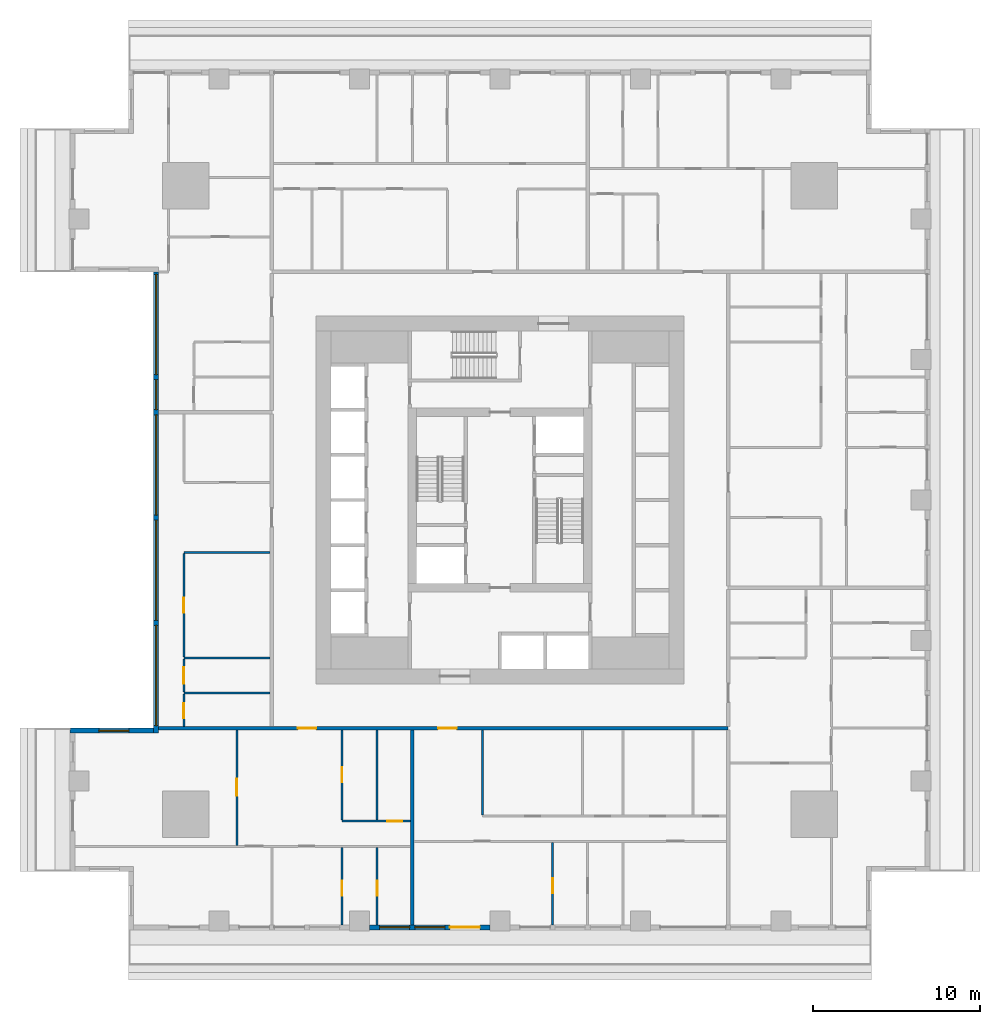
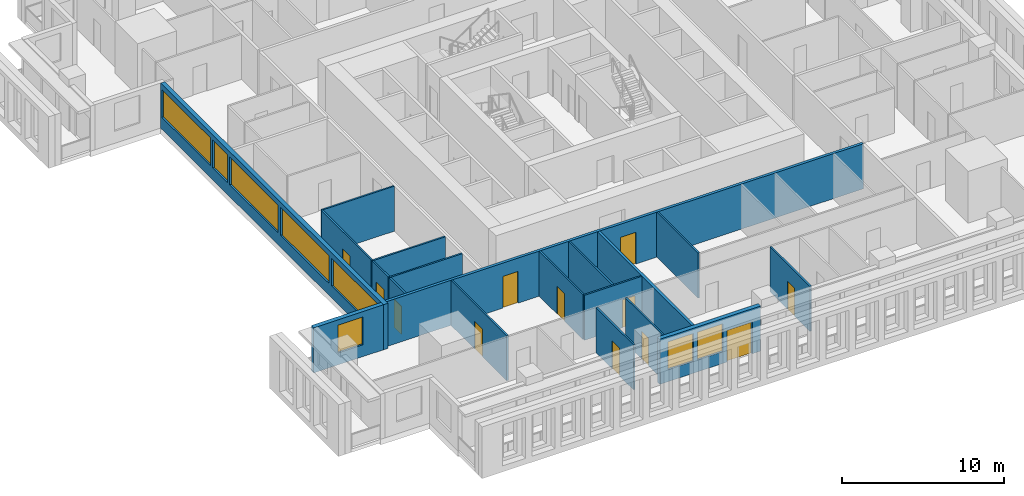
# One storey, part 2 of 14: 19 walls, 12 doors, 8 windows, 20 openings.
"""IFC4 building model written with IfcOpenShell, lengths in metres."""

import ifcopenshell
import ifcopenshell.guid

model = None  # the IFC model being written
_history = None  # IfcOwnerHistory: only IFC2X3 demands one
_inside = {}  # id of a spatial element -> (the spatial element, [elements in it])
_under = {}  # id of a project, library or spatial element -> (it, [spatial elements below it])
_declared = {}  # id of a project -> (the project, [libraries it declares])
_typed = {}  # id of a type object -> (the type object, [elements of that type])
_made_of = {}  # id of a material, layer set ... -> (it, [elements and type objects made of it])


def new_model(schema):
    """Start an empty IFC model of exactly this schema.

    Asked for "IFC4X3", IfcOpenShell would pick the latest addendum, in which some entities
    have other attributes; the version numbers below select the first issue.
    IFC2X3 requires an IfcOwnerHistory on every rooted entity: one is made here for all.
    """
    global model, _history
    if schema == "IFC4X3":
        model = ifcopenshell.file(schema_version=(4, 3, 0, 0))
    else:
        model = ifcopenshell.file(schema=schema)
    _inside.clear()
    _under.clear()
    _declared.clear()
    _typed.clear()
    _made_of.clear()
    _history = None
    if model.schema == "IFC2X3":
        org = make("IfcOrganization", Name="unknown")
        user = make(
            "IfcPersonAndOrganization",
            ThePerson=make("IfcPerson", FamilyName="unknown"),
            TheOrganization=org,
        )
        app = make(
            "IfcApplication",
            ApplicationDeveloper=org,
            Version="unknown",
            ApplicationFullName="unknown",
            ApplicationIdentifier="unknown",
        )
        _history = make(
            "IfcOwnerHistory",
            OwningUser=user,
            OwningApplication=app,
            ChangeAction="ADDED",
            CreationDate=0,
        )
    return model


def make(cls, **values):
    """One entity of the class cls with the attributes given. An attribute that is None is left unset."""
    return model.create_entity(
        cls, **{name: value for name, value in values.items() if value is not None}
    )


def rooted(cls, **values):
    """An entity with a GlobalId (a new one), such as an element, a storey or a relation."""
    return make(cls, GlobalId=ifcopenshell.guid.new(), OwnerHistory=_history, **values)


def si_unit(unit_type, name, prefix=None):
    """IfcSIUnit, for example si_unit("LENGTHUNIT", "METRE", prefix="MILLI")."""
    return make("IfcSIUnit", UnitType=unit_type, Prefix=prefix, Name=name)


def assignment(units):
    """IfcUnitAssignment: the units of a project."""
    return None if units is None else make("IfcUnitAssignment", Units=units)


def point(xyz):
    """IfcCartesianPoint."""
    return None if xyz is None else make("IfcCartesianPoint", Coordinates=xyz)


def direction(xyz):
    """IfcDirection."""
    return None if xyz is None else make("IfcDirection", DirectionRatios=xyz)


def frame(location, z_axis=None, x_axis=None):
    """IfcAxis2Placement3D, a coordinate frame: its origin and axes. An axis left out is left unset."""
    return make(
        "IfcAxis2Placement3D",
        Location=point(location),
        Axis=direction(z_axis),
        RefDirection=direction(x_axis),
    )


def frame_2d(location, x_axis=None):
    """IfcAxis2Placement2D, a coordinate frame in the plane: its origin and x axis."""
    return make(
        "IfcAxis2Placement2D", Location=point(location), RefDirection=direction(x_axis)
    )


def origin():
    """The frame at (0, 0, 0) with its axes left unset."""
    return frame((0.0, 0.0, 0.0))


def place(relative_to, where):
    """IfcLocalPlacement: puts the frame where relative to a parent placement (None: the world)."""
    return make(
        "IfcLocalPlacement", PlacementRelTo=relative_to, RelativePlacement=where
    )


def context(
    kind, dimensions, precision=None, world=None, true_north=None, identifier=None
):
    """IfcGeometricRepresentationContext, for example the 3D "Model" context."""
    return make(
        "IfcGeometricRepresentationContext",
        ContextIdentifier=identifier,
        ContextType=kind,
        CoordinateSpaceDimension=dimensions,
        Precision=precision,
        WorldCoordinateSystem=world,
        TrueNorth=true_north,
    )


def subcontext(parent, identifier, kind, view, scale=None):
    """IfcGeometricRepresentationSubContext, for example "Body" below "Model"."""
    return make(
        "IfcGeometricRepresentationSubContext",
        ContextIdentifier=identifier,
        ContextType=kind,
        ParentContext=parent,
        TargetScale=scale,
        TargetView=view,
    )


def project(units=None, contexts=None):
    """IfcProject with its units and contexts."""
    return rooted(
        "IfcProject",
        Name="project",
        RepresentationContexts=contexts,
        UnitsInContext=assignment(units),
    )


def spatial(cls, under=None, at=None, **own):
    """A site, building, storey or space (cls), placed at a placement, below another one or the project."""
    s = rooted(cls, ObjectPlacement=at, **own)
    if under is not None:
        _under.setdefault(under.id(), (under, []))[1].append(s)
    return s


def profile(cls, at=None, kind="AREA", **sizes):
    """A parametric profile (cls). Its sizes go by their IFC names, for example OverallWidth=200.0."""
    return make(cls, ProfileType=kind, Position=at, **sizes)


def rectangle(**sizes):
    """IfcRectangleProfileDef."""
    return profile("IfcRectangleProfileDef", **sizes)


def extrude(swept, where, along, depth):
    """IfcExtrudedAreaSolid: the profile swept, set in the frame where, extruded along a direction by depth."""
    return make(
        "IfcExtrudedAreaSolid",
        SweptArea=swept,
        Position=where,
        ExtrudedDirection=direction(along),
        Depth=depth,
    )


def shape(context_of_items, identifier, shape_type, items):
    """IfcShapeRepresentation: the items that make up one representation, for example the "Body"."""
    return make(
        "IfcShapeRepresentation",
        ContextOfItems=context_of_items,
        RepresentationIdentifier=identifier,
        RepresentationType=shape_type,
        Items=items,
    )


def material(Name=None, Category=None):
    """IfcMaterial."""
    return make("IfcMaterial", Name=Name, Category=Category)


def layer(
    of_material, thickness, ventilated=None, Name=None, Category=None, Priority=None
):
    """IfcMaterialLayer: one layer of a wall or slab, of a material (None: an air gap)."""
    return make(
        "IfcMaterialLayer",
        Material=of_material,
        LayerThickness=thickness,
        IsVentilated=ventilated,
        Name=Name,
        Category=Category,
        Priority=Priority,
    )


def layer_set(layers, Name=None):
    """IfcMaterialLayerSet."""
    return make("IfcMaterialLayerSet", MaterialLayers=layers, LayerSetName=Name)


def made_of(thing, what):
    """Note that an element or type object is made of a material, layer set ...; save() writes the relation."""
    if what is not None:
        _made_of.setdefault(what.id(), (what, []))[1].append(thing)
    return thing


def type_object(cls, material=None, **own):
    """A type object (cls), such as IfcWallType, which elements share."""
    return made_of(rooted(cls, **own), material)


def element(
    cls,
    number,
    at=None,
    inside=None,
    cuts=None,
    type_object=None,
    material=None,
    context=None,
    identifier="Body",
    shape_type=None,
    held_by="IfcProductDefinitionShape",
    body=None,
    shapes=None,
    **own,
):
    """One element of the class cls, such as IfcWall. Its Tag is "e" and its number.

    at: its placement. inside: the storey or other place that contains it. cuts: it is an
    opening in that element (IfcRelVoidsElement). A single representation is given by context,
    identifier, shape_type and body (its items); several are given by shapes. held_by: the class
    of the entity that holds the representations. save() writes the other relations.
    """
    e = rooted(cls, Tag="e%d" % number, ObjectPlacement=at, **own)
    if body is not None:
        shapes = [shape(context, identifier, shape_type, body)]
    if shapes is not None:
        e.Representation = make(held_by, Representations=shapes)
    if inside is not None:
        _inside.setdefault(inside.id(), (inside, []))[1].append(e)
    if cuts is not None:
        rooted(
            "IfcRelVoidsElement", RelatingBuildingElement=cuts, RelatedOpeningElement=e
        )
    if type_object is not None:
        _typed.setdefault(type_object.id(), (type_object, []))[1].append(e)
    return made_of(e, material)


def fill(opening, filler):
    """IfcRelFillsElement: the door or window that sits in an opening."""
    return rooted(
        "IfcRelFillsElement",
        RelatingOpeningElement=opening,
        RelatedBuildingElement=filler,
    )


def aggregate(whole, parts):
    """IfcRelAggregates: a whole, such as a stair, and the parts it consists of."""
    return rooted("IfcRelAggregates", RelatingObject=whole, RelatedObjects=parts)


def save(model, path):
    """Write the relations noted so far, then the file.

    IfcRelAggregates (storeys below a building ...), IfcRelContainedInSpatialStructure (elements
    in a storey), IfcRelDefinesByType, IfcRelAssociatesMaterial and IfcRelDeclares: one each for
    every whole, place, type object, material and project.
    """
    for whole, parts in _under.values():
        aggregate(whole, parts)
    for where, things in _inside.values():
        rooted(
            "IfcRelContainedInSpatialStructure",
            RelatedElements=things,
            RelatingStructure=where,
        )
    for kind, things in _typed.values():
        rooted("IfcRelDefinesByType", RelatedObjects=things, RelatingType=kind)
    for what, things in _made_of.values():
        rooted("IfcRelAssociatesMaterial", RelatedObjects=things, RelatingMaterial=what)
    for by, libraries in _declared.values():
        rooted("IfcRelDeclares", RelatingContext=by, RelatedDefinitions=libraries)
    model.write(path)


model = new_model("IFC4")

# Units and contexts
model_context = context("Model", 3, precision=1e-05, world=origin(), true_north=direction((0.0, 1.0)))
body_context = subcontext(model_context, "Body", "Model", "MODEL_VIEW")
ifc_project = project(units=[si_unit("LENGTHUNIT", "METRE"), si_unit("AREAUNIT", "SQUARE_METRE"), si_unit("VOLUMEUNIT", "CUBIC_METRE"), si_unit("PLANEANGLEUNIT", "RADIAN"), si_unit("MASSUNIT", "GRAM", prefix="KILO")], contexts=[model_context])

# Site, building, storey
site_placement = place(None, origin())
site = spatial("IfcSite", under=ifc_project, at=site_placement, CompositionType="ELEMENT")
building_placement = place(site_placement, origin())
building = spatial("IfcBuilding", under=site, at=building_placement, Name="Khepri Terraces", CompositionType="ELEMENT")
storey_placement = place(building_placement, frame((0.0, 0.0, 122.10009765625)))
storey = spatial("IfcBuildingStorey", under=building, at=storey_placement, Name="L29", CompositionType="ELEMENT", Elevation=122.10009765625)

# Wall
ifc_material_1 = material(Name="Fire-rated gypsum plasterboard partition, mineral wool")
ifc_layer_1 = layer(ifc_material_1, 0.199951171875, Name="Fire-rated gypsum plasterboard partition, mineral wool")
ifc_layer_set_1 = layer_set([ifc_layer_1], Name="Fire-rated gypsum plasterboard partition, mineral wool")
wall_type_1 = type_object("IfcWallType", Name="WL-CORR-200", PredefinedType="PARTITIONING", material=ifc_layer_set_1)
wall_1_placement = place(storey_placement, frame((-5.25, -25.419921875, 0.0), z_axis=(0.0, 0.0, 1.0), x_axis=(0.0, 1.0, 0.0)))
element("IfcWall", 1, at=wall_1_placement, inside=storey, type_object=wall_type_1, Name="Partition P-004 L29", PredefinedType="PARTITIONING", context=body_context, shape_type="SweptSolid", body=[
    extrude(rectangle(XDim=11.669921875, YDim=0.199951171875, at=frame_2d((5.8349609375, 0.0))), origin(), (0.0, 0.0, 1.0), 3.39990234375),
])

# Wall, openings, doors
wall_2_placement = place(storey_placement, frame((-20.419921875, -13.64990234375, 0.0), z_axis=(0.0, 0.0, 1.0), x_axis=(1.0, 0.0, 0.0)))
wall_2 = element("IfcWall", 2, at=wall_2_placement, inside=storey, type_object=wall_type_1, Name="Partition P-024 L29", PredefinedType="PARTITIONING", context=body_context, shape_type="SweptSolid", body=[
    extrude(rectangle(XDim=34.06982421875, YDim=0.199951171875, at=frame_2d((17.034912109375, 0.0))), origin(), (0.0, 0.0, 1.0), 3.39990234375),
])
opening_1_placement = place(wall_2_placement, frame((8.320068359375, 0.0, 0.0)))
opening_1 = element("IfcOpeningElement", 3, at=opening_1_placement, cuts=wall_2, Name="Opening D1", PredefinedType="OPENING", context=body_context, shape_type="SweptSolid", body=[
    extrude(rectangle(XDim=1.10009765625, YDim=2.39990234375, at=frame_2d((0.550048828125, 1.199951171875))), frame((0.0, 0.10986328125, 0.0), z_axis=(0.0, -1.0, 0.0), x_axis=(1.0, 0.0, 0.0)), (0.0, 0.0, 1.0), 0.219970703125),
])
opening_2_placement = place(wall_2_placement, frame((16.719970703125, 0.0, 0.0)))
opening_2 = element("IfcOpeningElement", 4, at=opening_2_placement, cuts=wall_2, Name="Opening D1", PredefinedType="OPENING", context=body_context, shape_type="SweptSolid", body=[
    extrude(rectangle(XDim=1.10009765625, YDim=2.39990234375, at=frame_2d((0.550048828125, 1.199951171875))), frame((0.0, 0.10986328125, 0.0), z_axis=(0.0, -1.0, 0.0), x_axis=(1.0, 0.0, 0.0)), (0.0, 0.0, 1.0), 0.219970703125),
])
ifc_material_2 = material(Name="Solid-core timber door leaf, flat entrance door", Category="wood")
door_type_1 = type_object("IfcDoorType", Name="DR-ENT-1100", OperationType="NOTDEFINED", PredefinedType="DOOR", material=ifc_material_2)
door_1_placement = place(opening_1_placement, frame((1.10009765625, 0.0, 0.0), z_axis=(0.0, 0.0, 1.0), x_axis=(-1.0, 0.0, 0.0)))
door_1 = element("IfcDoor", 5, at=door_1_placement, inside=storey, type_object=door_type_1, Name="Flat A1 entrance door", OperationType="SINGLE_SWING_RIGHT", OverallHeight=2.39990234375, OverallWidth=1.10009765625, PredefinedType="DOOR", context=body_context, shape_type="SweptSolid", body=[
    extrude(rectangle(XDim=1.10009765625, YDim=2.39990234375, at=frame_2d((0.550048828125, 1.199951171875))), frame((0.0, 0.02490234375, 0.0), z_axis=(0.0, -1.0, 0.0), x_axis=(1.0, 0.0, 0.0)), (0.0, 0.0, 1.0), 0.050048828125),
])
fill(opening_1, door_1)
door_2_placement = place(opening_2_placement, frame((1.10009765625, 0.0, 0.0), z_axis=(0.0, 0.0, 1.0), x_axis=(-1.0, 0.0, 0.0)))
door_2 = element("IfcDoor", 6, at=door_2_placement, inside=storey, type_object=door_type_1, Name="Flat A2 entrance door", OperationType="SINGLE_SWING_LEFT", OverallHeight=2.39990234375, OverallWidth=1.10009765625, PredefinedType="DOOR", context=body_context, shape_type="SweptSolid", body=[
    extrude(rectangle(XDim=1.10009765625, YDim=2.39990234375, at=frame_2d((0.550048828125, 1.199951171875))), frame((0.0, 0.02490234375, 0.0), z_axis=(0.0, -1.0, 0.0), x_axis=(1.0, 0.0, 0.0)), (0.0, 0.0, 1.0), 0.050048828125),
])
fill(opening_2, door_2)

# Wall, openings, windows
ifc_material_3 = material(Name="Precast concrete C50/60 warm stone", Category="masonry")
ifc_layer_2 = layer(ifc_material_3, 0.300048828125, Name="Precast concrete C50/60 warm stone", Category="masonry")
ifc_layer_set_2 = layer_set([ifc_layer_2], Name="Precast concrete C50/60 warm stone")
wall_type_2 = type_object("IfcWallType", Name="WL-EXT-PRECAST-300", PredefinedType="STANDARD", material=ifc_layer_set_2)
wall_3_placement = place(storey_placement, frame((-20.570068359375, 13.64990234375, 0.0), z_axis=(0.0, 0.0, 1.0), x_axis=(0.0, -1.0, 0.0)))
wall_3 = element("IfcWall", 7, at=wall_3_placement, inside=storey, type_object=wall_type_2, Name="External wall L29 W", PredefinedType="STANDARD", context=body_context, shape_type="SweptSolid", body=[
    extrude(rectangle(XDim=27.599853515625, YDim=0.300048828125, at=frame_2d((13.7998046875, 0.0))), origin(), (0.0, 0.0, 1.0), 3.39990234375),
])
opening_3_placement = place(wall_3_placement, frame((0.14990234375, 0.0, 0.89990234375)))
opening_3 = element("IfcOpeningElement", 8, at=opening_3_placement, cuts=wall_3, Name="Opening W3", PredefinedType="OPENING", context=body_context, shape_type="SweptSolid", body=[
    extrude(rectangle(XDim=6.0, YDim=2.10009765625, at=frame_2d((3.0, 1.050048828125))), frame((0.0, 0.16015625, 0.0), z_axis=(0.0, -1.0, 0.0), x_axis=(1.0, 0.0, 0.0)), (0.0, 0.0, 1.0), 0.320068359375),
])
opening_4_placement = place(wall_3_placement, frame((6.449951171875, 0.0, 0.89990234375)))
opening_4 = element("IfcOpeningElement", 9, at=opening_4_placement, cuts=wall_3, Name="Opening W1", PredefinedType="OPENING", context=body_context, shape_type="SweptSolid", body=[
    extrude(rectangle(XDim=1.800048828125, YDim=2.10009765625, at=frame_2d((0.89990234375, 1.050048828125))), frame((0.0, 0.16015625, 0.0), z_axis=(0.0, -1.0, 0.0), x_axis=(1.0, 0.0, 0.0)), (0.0, 0.0, 1.0), 0.320068359375),
])
opening_5_placement = place(wall_3_placement, frame((8.550048828125, 0.0, 0.89990234375)))
opening_5 = element("IfcOpeningElement", 10, at=opening_5_placement, cuts=wall_3, Name="Opening W3", PredefinedType="OPENING", context=body_context, shape_type="SweptSolid", body=[
    extrude(rectangle(XDim=6.0, YDim=2.10009765625, at=frame_2d((3.0, 1.050048828125))), frame((0.0, 0.16015625, 0.0), z_axis=(0.0, -1.0, 0.0), x_axis=(1.0, 0.0, 0.0)), (0.0, 0.0, 1.0), 0.320068359375),
])
opening_6_placement = place(wall_3_placement, frame((14.85009765625, 0.0, 0.89990234375)))
opening_6 = element("IfcOpeningElement", 11, at=opening_6_placement, cuts=wall_3, Name="Opening W3", PredefinedType="OPENING", context=body_context, shape_type="SweptSolid", body=[
    extrude(rectangle(XDim=6.0, YDim=2.10009765625, at=frame_2d((3.0, 1.050048828125))), frame((0.0, 0.16015625, 0.0), z_axis=(0.0, -1.0, 0.0), x_axis=(1.0, 0.0, 0.0)), (0.0, 0.0, 1.0), 0.320068359375),
])
opening_7_placement = place(wall_3_placement, frame((21.14990234375, 0.0, 0.89990234375)))
opening_7 = element("IfcOpeningElement", 12, at=opening_7_placement, cuts=wall_3, Name="Opening W3", PredefinedType="OPENING", context=body_context, shape_type="SweptSolid", body=[
    extrude(rectangle(XDim=6.0, YDim=2.10009765625, at=frame_2d((3.0, 1.050048828125))), frame((0.0, 0.16015625, 0.0), z_axis=(0.0, -1.0, 0.0), x_axis=(1.0, 0.0, 0.0)), (0.0, 0.0, 1.0), 0.320068359375),
])
ifc_material_4 = material(Name="Clear glass", Category="glass")
window_type_1 = type_object("IfcWindowType", Name="WIN-RES-1800x2100", PartitioningType="SINGLE_PANEL", PredefinedType="WINDOW", material=ifc_material_4)
window_1_placement = place(opening_4_placement, origin())
window_1 = element("IfcWindow", 13, at=window_1_placement, inside=storey, type_object=window_type_1, Name="Window L29 W", OverallHeight=2.10009765625, OverallWidth=1.800048828125, PartitioningType="SINGLE_PANEL", PredefinedType="WINDOW", context=body_context, shape_type="SweptSolid", body=[
    extrude(rectangle(XDim=1.800048828125, YDim=2.10009765625, at=frame_2d((0.89990234375, 1.050048828125))), frame((0.0, 0.030029296875, 0.0), z_axis=(0.0, -1.0, 0.0), x_axis=(1.0, 0.0, 0.0)), (0.0, 0.0, 1.0), 0.06005859375),
])
fill(opening_4, window_1)
window_type_2 = type_object("IfcWindowType", Name="WIN-RES-6000x2100", PartitioningType="SINGLE_PANEL", PredefinedType="WINDOW", material=ifc_material_4)
window_2_placement = place(opening_3_placement, origin())
window_2 = element("IfcWindow", 14, at=window_2_placement, inside=storey, type_object=window_type_2, Name="Window L29 W", OverallHeight=2.10009765625, OverallWidth=6.0, PartitioningType="SINGLE_PANEL", PredefinedType="WINDOW", context=body_context, shape_type="SweptSolid", body=[
    extrude(rectangle(XDim=6.0, YDim=2.10009765625, at=frame_2d((3.0, 1.050048828125))), frame((0.0, 0.030029296875, 0.0), z_axis=(0.0, -1.0, 0.0), x_axis=(1.0, 0.0, 0.0)), (0.0, 0.0, 1.0), 0.06005859375),
])
fill(opening_3, window_2)
window_3_placement = place(opening_5_placement, origin())
window_3 = element("IfcWindow", 15, at=window_3_placement, inside=storey, type_object=window_type_2, Name="Window L29 W", OverallHeight=2.10009765625, OverallWidth=6.0, PartitioningType="SINGLE_PANEL", PredefinedType="WINDOW", context=body_context, shape_type="SweptSolid", body=[
    extrude(rectangle(XDim=6.0, YDim=2.10009765625, at=frame_2d((3.0, 1.050048828125))), frame((0.0, 0.030029296875, 0.0), z_axis=(0.0, -1.0, 0.0), x_axis=(1.0, 0.0, 0.0)), (0.0, 0.0, 1.0), 0.06005859375),
])
fill(opening_5, window_3)
window_4_placement = place(opening_6_placement, origin())
window_4 = element("IfcWindow", 16, at=window_4_placement, inside=storey, type_object=window_type_2, Name="Window L29 W", OverallHeight=2.10009765625, OverallWidth=6.0, PartitioningType="SINGLE_PANEL", PredefinedType="WINDOW", context=body_context, shape_type="SweptSolid", body=[
    extrude(rectangle(XDim=6.0, YDim=2.10009765625, at=frame_2d((3.0, 1.050048828125))), frame((0.0, 0.030029296875, 0.0), z_axis=(0.0, -1.0, 0.0), x_axis=(1.0, 0.0, 0.0)), (0.0, 0.0, 1.0), 0.06005859375),
])
fill(opening_6, window_4)
window_5_placement = place(opening_7_placement, origin())
window_5 = element("IfcWindow", 17, at=window_5_placement, inside=storey, type_object=window_type_2, Name="Window L29 W", OverallHeight=2.10009765625, OverallWidth=6.0, PartitioningType="SINGLE_PANEL", PredefinedType="WINDOW", context=body_context, shape_type="SweptSolid", body=[
    extrude(rectangle(XDim=6.0, YDim=2.10009765625, at=frame_2d((3.0, 1.050048828125))), frame((0.0, 0.030029296875, 0.0), z_axis=(0.0, -1.0, 0.0), x_axis=(1.0, 0.0, 0.0)), (0.0, 0.0, 1.0), 0.06005859375),
])
fill(opening_7, window_5)

# Wall, opening, window
wall_4_placement = place(storey_placement, frame((-20.719970703125, -13.800048828125, 0.0), z_axis=(0.0, 0.0, 1.0), x_axis=(-1.0, 0.0, 0.0)))
wall_4 = element("IfcWall", 18, at=wall_4_placement, inside=storey, type_object=wall_type_2, Name="External wall L29 N", PredefinedType="STANDARD", context=body_context, shape_type="SweptSolid", body=[
    extrude(rectangle(XDim=5.0, YDim=0.300048828125, at=frame_2d((2.5, 0.0))), origin(), (0.0, 0.0, 1.0), 3.39990234375),
])
opening_8_placement = place(wall_4_placement, frame((1.47998046875, 0.0, 0.89990234375)))
opening_8 = element("IfcOpeningElement", 19, at=opening_8_placement, cuts=wall_4, Name="Opening W1", PredefinedType="OPENING", context=body_context, shape_type="SweptSolid", body=[
    extrude(rectangle(XDim=1.800048828125, YDim=2.10009765625, at=frame_2d((0.89990234375, 1.050048828125))), frame((0.0, 0.16015625, 0.0), z_axis=(0.0, -1.0, 0.0), x_axis=(1.0, 0.0, 0.0)), (0.0, 0.0, 1.0), 0.320068359375),
])
window_6_placement = place(opening_8_placement, origin())
window_6 = element("IfcWindow", 20, at=window_6_placement, inside=storey, type_object=window_type_1, Name="Window L29 N", OverallHeight=2.10009765625, OverallWidth=1.800048828125, PartitioningType="SINGLE_PANEL", PredefinedType="WINDOW", context=body_context, shape_type="SweptSolid", body=[
    extrude(rectangle(XDim=1.800048828125, YDim=2.10009765625, at=frame_2d((0.89990234375, 1.050048828125))), frame((0.0, 0.030029296875, 0.0), z_axis=(0.0, -1.0, 0.0), x_axis=(1.0, 0.0, 0.0)), (0.0, 0.0, 1.0), 0.06005859375),
])
fill(opening_8, window_6)

# Wall, openings, door, windows
wall_5_placement = place(storey_placement, frame((-7.800048828125, -25.570068359375, 0.0), z_axis=(0.0, 0.0, 1.0), x_axis=(1.0, 0.0, 0.0)))
wall_5 = element("IfcWall", 21, at=wall_5_placement, inside=storey, type_object=wall_type_2, Name="External wall L29 S", PredefinedType="STANDARD", context=body_context, shape_type="SweptSolid", body=[
    extrude(rectangle(XDim=7.199951171875, YDim=0.300048828125, at=frame_2d((3.60009765625, 0.0))), origin(), (0.0, 0.0, 1.0), 3.39990234375),
])
opening_9_placement = place(wall_5_placement, frame((0.60009765625, 0.0, 0.89990234375)))
opening_9 = element("IfcOpeningElement", 22, at=opening_9_placement, cuts=wall_5, Name="Opening W1", PredefinedType="OPENING", context=body_context, shape_type="SweptSolid", body=[
    extrude(rectangle(XDim=1.800048828125, YDim=2.10009765625, at=frame_2d((0.89990234375, 1.050048828125))), frame((0.0, 0.16015625, 0.0), z_axis=(0.0, -1.0, 0.0), x_axis=(1.0, 0.0, 0.0)), (0.0, 0.0, 1.0), 0.320068359375),
])
opening_10_placement = place(wall_5_placement, frame((2.699951171875, 0.0, 0.89990234375)))
opening_10 = element("IfcOpeningElement", 23, at=opening_10_placement, cuts=wall_5, Name="Opening W1", PredefinedType="OPENING", context=body_context, shape_type="SweptSolid", body=[
    extrude(rectangle(XDim=1.800048828125, YDim=2.10009765625, at=frame_2d((0.89990234375, 1.050048828125))), frame((0.0, 0.16015625, 0.0), z_axis=(0.0, -1.0, 0.0), x_axis=(1.0, 0.0, 0.0)), (0.0, 0.0, 1.0), 0.320068359375),
])
opening_11_placement = place(wall_5_placement, frame((4.800048828125, 0.0, 0.0)))
opening_11 = element("IfcOpeningElement", 24, at=opening_11_placement, cuts=wall_5, Name="Opening ED-L29-21", PredefinedType="OPENING", context=body_context, shape_type="SweptSolid", body=[
    extrude(rectangle(XDim=1.800048828125, YDim=2.39990234375, at=frame_2d((0.89990234375, 1.199951171875))), frame((0.0, 0.16015625, 0.0), z_axis=(0.0, -1.0, 0.0), x_axis=(1.0, 0.0, 0.0)), (0.0, 0.0, 1.0), 0.320068359375),
])
ifc_material_5 = material(Name="Anodised aluminium bronze glazed door", Category="aluminium")
door_type_2 = type_object("IfcDoorType", Name="DR-BAL-SLIDE-1800x2400", OperationType="NOTDEFINED", PredefinedType="DOOR", material=ifc_material_5)
door_3_placement = place(opening_11_placement, origin())
door_3 = element("IfcDoor", 25, at=door_3_placement, inside=storey, type_object=door_type_2, Name="Balcony door L29 S", OperationType="SLIDING_TO_RIGHT", OverallHeight=2.39990234375, OverallWidth=1.800048828125, PredefinedType="DOOR", context=body_context, shape_type="SweptSolid", body=[
    extrude(rectangle(XDim=1.800048828125, YDim=2.39990234375, at=frame_2d((0.89990234375, 1.199951171875))), frame((0.0, 0.02490234375, 0.0), z_axis=(0.0, -1.0, 0.0), x_axis=(1.0, 0.0, 0.0)), (0.0, 0.0, 1.0), 0.050048828125),
])
fill(opening_11, door_3)
window_7_placement = place(opening_9_placement, origin())
window_7 = element("IfcWindow", 26, at=window_7_placement, inside=storey, type_object=window_type_1, Name="Window L29 S", OverallHeight=2.10009765625, OverallWidth=1.800048828125, PartitioningType="SINGLE_PANEL", PredefinedType="WINDOW", context=body_context, shape_type="SweptSolid", body=[
    extrude(rectangle(XDim=1.800048828125, YDim=2.10009765625, at=frame_2d((0.89990234375, 1.050048828125))), frame((0.0, 0.030029296875, 0.0), z_axis=(0.0, -1.0, 0.0), x_axis=(1.0, 0.0, 0.0)), (0.0, 0.0, 1.0), 0.06005859375),
])
fill(opening_9, window_7)
window_8_placement = place(opening_10_placement, origin())
window_8 = element("IfcWindow", 27, at=window_8_placement, inside=storey, type_object=window_type_1, Name="Window L29 S", OverallHeight=2.10009765625, OverallWidth=1.800048828125, PartitioningType="SINGLE_PANEL", PredefinedType="WINDOW", context=body_context, shape_type="SweptSolid", body=[
    extrude(rectangle(XDim=1.800048828125, YDim=2.10009765625, at=frame_2d((0.89990234375, 1.050048828125))), frame((0.0, 0.030029296875, 0.0), z_axis=(0.0, -1.0, 0.0), x_axis=(1.0, 0.0, 0.0)), (0.0, 0.0, 1.0), 0.06005859375),
])
fill(opening_10, window_8)

# Wall, opening, door
ifc_material_6 = material(Name="Gypsum plasterboard partition")
ifc_layer_3 = layer(ifc_material_6, 0.1201171875, Name="Gypsum plasterboard partition")
ifc_layer_set_3 = layer_set([ifc_layer_3], Name="Gypsum plasterboard partition")
wall_type_3 = type_object("IfcWallType", Name="WL-PART-120", PredefinedType="PARTITIONING", material=ifc_layer_set_3)
wall_6_placement = place(storey_placement, frame((-9.449951171875, -25.419921875, 0.0), z_axis=(0.0, 0.0, 1.0), x_axis=(0.0, 1.0, 0.0)))
wall_6 = element("IfcWall", 28, at=wall_6_placement, inside=storey, type_object=wall_type_3, Name="Partition P-002 L29", PredefinedType="PARTITIONING", context=body_context, shape_type="SweptSolid", body=[
    extrude(rectangle(XDim=4.639892578125, YDim=0.1201171875, at=frame_2d((2.31982421875, 0.0))), origin(), (0.0, 0.0, 1.0), 3.39990234375),
])
opening_12_placement = place(wall_6_placement, frame((1.75, 0.0, 0.0)))
opening_12 = element("IfcOpeningElement", 29, at=opening_12_placement, cuts=wall_6, Name="Opening D3", PredefinedType="OPENING", context=body_context, shape_type="SweptSolid", body=[
    extrude(rectangle(XDim=0.89990234375, YDim=2.10009765625, at=frame_2d((0.449951171875, 1.050048828125))), frame((0.0, 0.070068359375, 0.0), z_axis=(0.0, -1.0, 0.0), x_axis=(1.0, 0.0, 0.0)), (0.0, 0.0, 1.0), 0.14013671875),
])
ifc_material_7 = material(Name="Timber door leaf", Category="wood")
door_type_3 = type_object("IfcDoorType", Name="DR-INT-900", OperationType="NOTDEFINED", PredefinedType="DOOR", material=ifc_material_7)
door_4_placement = place(opening_12_placement, frame((0.89990234375, 0.0, 0.0), z_axis=(0.0, 0.0, 1.0), x_axis=(-1.0, 0.0, 0.0)))
door_4 = element("IfcDoor", 30, at=door_4_placement, inside=storey, type_object=door_type_3, Name="Door Dressing Room", OperationType="SINGLE_SWING_RIGHT", OverallHeight=2.10009765625, OverallWidth=0.89990234375, PredefinedType="DOOR", context=body_context, shape_type="SweptSolid", body=[
    extrude(rectangle(XDim=0.89990234375, YDim=2.10009765625, at=frame_2d((0.449951171875, 1.050048828125))), frame((0.0, 0.02490234375, 0.0), z_axis=(0.0, -1.0, 0.0), x_axis=(1.0, 0.0, 0.0)), (0.0, 0.0, 1.0), 0.050048828125),
])
fill(opening_12, door_4)

wall_7_placement = place(storey_placement, frame((-7.35009765625, -25.419921875, 0.0), z_axis=(0.0, 0.0, 1.0), x_axis=(0.0, 1.0, 0.0)))
wall_7 = element("IfcWall", 31, at=wall_7_placement, inside=storey, type_object=wall_type_3, Name="Partition P-003 L29", PredefinedType="PARTITIONING", context=body_context, shape_type="SweptSolid", body=[
    extrude(rectangle(XDim=4.639892578125, YDim=0.1201171875, at=frame_2d((2.31982421875, 0.0))), origin(), (0.0, 0.0, 1.0), 3.39990234375),
])
opening_13_placement = place(wall_7_placement, frame((1.75, 0.0, 0.0)))
opening_13 = element("IfcOpeningElement", 32, at=opening_13_placement, cuts=wall_7, Name="Opening D4", PredefinedType="OPENING", context=body_context, shape_type="SweptSolid", body=[
    extrude(rectangle(XDim=0.89990234375, YDim=2.10009765625, at=frame_2d((0.449951171875, 1.050048828125))), frame((0.0, 0.070068359375, 0.0), z_axis=(0.0, -1.0, 0.0), x_axis=(1.0, 0.0, 0.0)), (0.0, 0.0, 1.0), 0.14013671875),
])
ifc_material_8 = material(Name="Timber door leaf, moisture resistant", Category="wood")
door_type_4 = type_object("IfcDoorType", Name="DR-WET-900", OperationType="NOTDEFINED", PredefinedType="DOOR", material=ifc_material_8)
door_5_placement = place(opening_13_placement, frame((0.89990234375, 0.0, 0.0), z_axis=(0.0, 0.0, 1.0), x_axis=(-1.0, 0.0, 0.0)))
door_5 = element("IfcDoor", 33, at=door_5_placement, inside=storey, type_object=door_type_4, Name="Door Bathroom", OperationType="SINGLE_SWING_RIGHT", OverallHeight=2.10009765625, OverallWidth=0.89990234375, PredefinedType="DOOR", context=body_context, shape_type="SweptSolid", body=[
    extrude(rectangle(XDim=0.89990234375, YDim=2.10009765625, at=frame_2d((0.449951171875, 1.050048828125))), frame((0.0, 0.02490234375, 0.0), z_axis=(0.0, -1.0, 0.0), x_axis=(1.0, 0.0, 0.0)), (0.0, 0.0, 1.0), 0.050048828125),
])
fill(opening_13, door_5)

wall_8_placement = place(storey_placement, frame((3.14990234375, -25.419921875, 0.0), z_axis=(0.0, 0.0, 1.0), x_axis=(0.0, 1.0, 0.0)))
wall_8 = element("IfcWall", 34, at=wall_8_placement, inside=storey, type_object=wall_type_3, Name="Partition P-005 L29", PredefinedType="PARTITIONING", context=body_context, shape_type="SweptSolid", body=[
    extrude(rectangle(XDim=4.93994140625, YDim=0.1201171875, at=frame_2d((2.469970703125, 0.0))), origin(), (0.0, 0.0, 1.0), 3.39990234375),
])
opening_14_placement = place(wall_8_placement, frame((1.89990234375, 0.0, 0.0)))
opening_14 = element("IfcOpeningElement", 35, at=opening_14_placement, cuts=wall_8, Name="Opening D3", PredefinedType="OPENING", context=body_context, shape_type="SweptSolid", body=[
    extrude(rectangle(XDim=0.89990234375, YDim=2.10009765625, at=frame_2d((0.449951171875, 1.050048828125))), frame((0.0, 0.070068359375, 0.0), z_axis=(0.0, -1.0, 0.0), x_axis=(1.0, 0.0, 0.0)), (0.0, 0.0, 1.0), 0.14013671875),
])
door_6_placement = place(opening_14_placement, frame((0.89990234375, 0.0, 0.0), z_axis=(0.0, 0.0, 1.0), x_axis=(-1.0, 0.0, 0.0)))
door_6 = element("IfcDoor", 36, at=door_6_placement, inside=storey, type_object=door_type_3, Name="Door Dressing Room", OperationType="SINGLE_SWING_RIGHT", OverallHeight=2.10009765625, OverallWidth=0.89990234375, PredefinedType="DOOR", context=body_context, shape_type="SweptSolid", body=[
    extrude(rectangle(XDim=0.89990234375, YDim=2.10009765625, at=frame_2d((0.449951171875, 1.050048828125))), frame((0.0, 0.02490234375, 0.0), z_axis=(0.0, -1.0, 0.0), x_axis=(1.0, 0.0, 0.0)), (0.0, 0.0, 1.0), 0.050048828125),
])
fill(opening_14, door_6)

wall_9_placement = place(storey_placement, frame((-15.75, -20.659912109375, 0.0), z_axis=(0.0, 0.0, 1.0), x_axis=(0.0, 1.0, 0.0)))
wall_9 = element("IfcWall", 37, at=wall_9_placement, inside=storey, type_object=wall_type_3, Name="Partition P-011 L29", PredefinedType="PARTITIONING", context=body_context, shape_type="SweptSolid", body=[
    extrude(rectangle(XDim=6.909912109375, YDim=0.1201171875, at=frame_2d((3.455078125, 0.0))), origin(), (0.0, 0.0, 1.0), 3.39990234375),
])
opening_15_placement = place(wall_9_placement, frame((2.97509765625, 0.0, 0.0)))
opening_15 = element("IfcOpeningElement", 38, at=opening_15_placement, cuts=wall_9, Name="Opening D2", PredefinedType="OPENING", context=body_context, shape_type="SweptSolid", body=[
    extrude(rectangle(XDim=1.0, YDim=2.10009765625, at=frame_2d((0.5, 1.050048828125))), frame((0.0, 0.070068359375, 0.0), z_axis=(0.0, -1.0, 0.0), x_axis=(1.0, 0.0, 0.0)), (0.0, 0.0, 1.0), 0.14013671875),
])
ifc_material_9 = material(Name="Timber door leaf, living room door", Category="wood")
door_type_5 = type_object("IfcDoorType", Name="DR-INT-1000", OperationType="NOTDEFINED", PredefinedType="DOOR", material=ifc_material_9)
door_7_placement = place(opening_15_placement, origin())
door_7 = element("IfcDoor", 39, at=door_7_placement, inside=storey, type_object=door_type_5, Name="Door Family Room", OperationType="SINGLE_SWING_RIGHT", OverallHeight=2.10009765625, OverallWidth=1.0, PredefinedType="DOOR", context=body_context, shape_type="SweptSolid", body=[
    extrude(rectangle(XDim=1.0, YDim=2.10009765625, at=frame_2d((0.5, 1.050048828125))), frame((0.0, 0.02490234375, 0.0), z_axis=(0.0, -1.0, 0.0), x_axis=(1.0, 0.0, 0.0)), (0.0, 0.0, 1.0), 0.050048828125),
])
fill(opening_15, door_7)

wall_10_placement = place(storey_placement, frame((-9.449951171875, -19.219970703125, 0.0), z_axis=(0.0, 0.0, 1.0), x_axis=(1.0, 0.0, 0.0)))
wall_10 = element("IfcWall", 40, at=wall_10_placement, inside=storey, type_object=wall_type_3, Name="Partition P-013 L29", PredefinedType="PARTITIONING", context=body_context, shape_type="SweptSolid", body=[
    extrude(rectangle(XDim=4.099853515625, YDim=0.1201171875, at=frame_2d((2.0498046875, 0.0))), origin(), (0.0, 0.0, 1.0), 3.39990234375),
])
opening_16_placement = place(wall_10_placement, frame((2.699951171875, 0.0, 0.0)))
opening_16 = element("IfcOpeningElement", 41, at=opening_16_placement, cuts=wall_10, Name="Opening D3", PredefinedType="OPENING", context=body_context, shape_type="SweptSolid", body=[
    extrude(rectangle(XDim=0.89990234375, YDim=2.10009765625, at=frame_2d((0.449951171875, 1.050048828125))), frame((0.0, 0.070068359375, 0.0), z_axis=(0.0, -1.0, 0.0), x_axis=(1.0, 0.0, 0.0)), (0.0, 0.0, 1.0), 0.14013671875),
])
door_8_placement = place(opening_16_placement, origin())
door_8 = element("IfcDoor", 42, at=door_8_placement, inside=storey, type_object=door_type_3, Name="Door Kitchen", OperationType="SINGLE_SWING_RIGHT", OverallHeight=2.10009765625, OverallWidth=0.89990234375, PredefinedType="DOOR", context=body_context, shape_type="SweptSolid", body=[
    extrude(rectangle(XDim=0.89990234375, YDim=2.10009765625, at=frame_2d((0.449951171875, 1.050048828125))), frame((0.0, 0.02490234375, 0.0), z_axis=(0.0, -1.0, 0.0), x_axis=(1.0, 0.0, 0.0)), (0.0, 0.0, 1.0), 0.050048828125),
])
fill(opening_16, door_8)

wall_11_placement = place(storey_placement, frame((-9.449951171875, -19.159912109375, 0.0), z_axis=(0.0, 0.0, 1.0), x_axis=(0.0, 1.0, 0.0)))
wall_11 = element("IfcWall", 43, at=wall_11_placement, inside=storey, type_object=wall_type_3, Name="Partition P-014 L29", PredefinedType="PARTITIONING", context=body_context, shape_type="SweptSolid", body=[
    extrude(rectangle(XDim=5.409912109375, YDim=0.1201171875, at=frame_2d((2.705078125, 0.0))), origin(), (0.0, 0.0, 1.0), 3.39990234375),
])
opening_17_placement = place(wall_11_placement, frame((2.27490234375, 0.0, 0.0)))
opening_17 = element("IfcOpeningElement", 44, at=opening_17_placement, cuts=wall_11, Name="Opening D4", PredefinedType="OPENING", context=body_context, shape_type="SweptSolid", body=[
    extrude(rectangle(XDim=0.89990234375, YDim=2.10009765625, at=frame_2d((0.449951171875, 1.050048828125))), frame((0.0, 0.070068359375, 0.0), z_axis=(0.0, -1.0, 0.0), x_axis=(1.0, 0.0, 0.0)), (0.0, 0.0, 1.0), 0.14013671875),
])
door_9_placement = place(opening_17_placement, frame((0.89990234375, 0.0, 0.0), z_axis=(0.0, 0.0, 1.0), x_axis=(-1.0, 0.0, 0.0)))
door_9 = element("IfcDoor", 45, at=door_9_placement, inside=storey, type_object=door_type_4, Name="Door Guest Bathroom", OperationType="SINGLE_SWING_LEFT", OverallHeight=2.10009765625, OverallWidth=0.89990234375, PredefinedType="DOOR", context=body_context, shape_type="SweptSolid", body=[
    extrude(rectangle(XDim=0.89990234375, YDim=2.10009765625, at=frame_2d((0.449951171875, 1.050048828125))), frame((0.0, 0.02490234375, 0.0), z_axis=(0.0, -1.0, 0.0), x_axis=(1.0, 0.0, 0.0)), (0.0, 0.0, 1.0), 0.050048828125),
])
fill(opening_17, door_9)

# Walls
wall_12_placement = place(storey_placement, frame((-7.35009765625, -19.159912109375, 0.0), z_axis=(0.0, 0.0, 1.0), x_axis=(0.0, 1.0, 0.0)))
element("IfcWall", 46, at=wall_12_placement, inside=storey, type_object=wall_type_3, Name="Partition P-015 L29", PredefinedType="PARTITIONING", context=body_context, shape_type="SweptSolid", body=[
    extrude(rectangle(XDim=5.409912109375, YDim=0.1201171875, at=frame_2d((2.705078125, 0.0))), origin(), (0.0, 0.0, 1.0), 3.39990234375),
])
wall_13_placement = place(storey_placement, frame((-1.050048828125, -18.860107421875, 0.0), z_axis=(0.0, 0.0, 1.0), x_axis=(0.0, 1.0, 0.0)))
element("IfcWall", 47, at=wall_13_placement, inside=storey, type_object=wall_type_3, Name="Partition P-017 L29", PredefinedType="PARTITIONING", context=body_context, shape_type="SweptSolid", body=[
    extrude(rectangle(XDim=5.110107421875, YDim=0.1201171875, at=frame_2d((2.55517578125, 0.0))), origin(), (0.0, 0.0, 1.0), 3.39990234375),
])

# Wall, opening, door
wall_14_placement = place(storey_placement, frame((-18.919921875, -13.550048828125, 0.0), z_axis=(0.0, 0.0, 1.0), x_axis=(0.0, 1.0, 0.0)))
wall_14 = element("IfcWall", 48, at=wall_14_placement, inside=storey, type_object=wall_type_3, Name="Partition P-027 L29", PredefinedType="PARTITIONING", context=body_context, shape_type="SweptSolid", body=[
    extrude(rectangle(XDim=1.93994140625, YDim=0.1201171875, at=frame_2d((0.969970703125, 0.0))), origin(), (0.0, 0.0, 1.0), 3.39990234375),
])
opening_18_placement = place(wall_14_placement, frame((0.5, 0.0, 0.0)))
opening_18 = element("IfcOpeningElement", 49, at=opening_18_placement, cuts=wall_14, Name="Opening D4", PredefinedType="OPENING", context=body_context, shape_type="SweptSolid", body=[
    extrude(rectangle(XDim=0.89990234375, YDim=2.10009765625, at=frame_2d((0.449951171875, 1.050048828125))), frame((0.0, 0.070068359375, 0.0), z_axis=(0.0, -1.0, 0.0), x_axis=(1.0, 0.0, 0.0)), (0.0, 0.0, 1.0), 0.14013671875),
])
door_10_placement = place(opening_18_placement, frame((0.89990234375, 0.0, 0.0), z_axis=(0.0, 0.0, 1.0), x_axis=(-1.0, 0.0, 0.0)))
door_10 = element("IfcDoor", 50, at=door_10_placement, inside=storey, type_object=door_type_4, Name="Door Guest Bathroom", OperationType="SINGLE_SWING_RIGHT", OverallHeight=2.10009765625, OverallWidth=0.89990234375, PredefinedType="DOOR", context=body_context, shape_type="SweptSolid", body=[
    extrude(rectangle(XDim=0.89990234375, YDim=2.10009765625, at=frame_2d((0.449951171875, 1.050048828125))), frame((0.0, 0.02490234375, 0.0), z_axis=(0.0, -1.0, 0.0), x_axis=(1.0, 0.0, 0.0)), (0.0, 0.0, 1.0), 0.050048828125),
])
fill(opening_18, door_10)

# Wall
wall_15_placement = place(storey_placement, frame((-18.919921875, -11.550048828125, 0.0), z_axis=(0.0, 0.0, 1.0), x_axis=(1.0, 0.0, 0.0)))
element("IfcWall", 51, at=wall_15_placement, inside=storey, type_object=wall_type_3, Name="Partition P-030 L29", PredefinedType="PARTITIONING", context=body_context, shape_type="SweptSolid", body=[
    extrude(rectangle(XDim=5.169921875, YDim=0.1201171875, at=frame_2d((2.5849609375, 0.0))), origin(), (0.0, 0.0, 1.0), 3.39990234375),
])

# Wall, opening, door
wall_16_placement = place(storey_placement, frame((-18.919921875, -11.489990234375, 0.0), z_axis=(0.0, 0.0, 1.0), x_axis=(0.0, 1.0, 0.0)))
wall_16 = element("IfcWall", 52, at=wall_16_placement, inside=storey, type_object=wall_type_3, Name="Partition P-031 L29", PredefinedType="PARTITIONING", context=body_context, shape_type="SweptSolid", body=[
    extrude(rectangle(XDim=1.97998046875, YDim=0.1201171875, at=frame_2d((0.989990234375, 0.0))), origin(), (0.0, 0.0, 1.0), 3.39990234375),
])
opening_19_placement = place(wall_16_placement, frame((0.489990234375, 0.0, 0.0)))
opening_19 = element("IfcOpeningElement", 53, at=opening_19_placement, cuts=wall_16, Name="Opening D2", PredefinedType="OPENING", context=body_context, shape_type="SweptSolid", body=[
    extrude(rectangle(XDim=1.0, YDim=2.10009765625, at=frame_2d((0.5, 1.050048828125))), frame((0.0, 0.070068359375, 0.0), z_axis=(0.0, -1.0, 0.0), x_axis=(1.0, 0.0, 0.0)), (0.0, 0.0, 1.0), 0.14013671875),
])
door_11_placement = place(opening_19_placement, frame((1.0, 0.0, 0.0), z_axis=(0.0, 0.0, 1.0), x_axis=(-1.0, 0.0, 0.0)))
door_11 = element("IfcDoor", 54, at=door_11_placement, inside=storey, type_object=door_type_5, Name="Door Family Room", OperationType="SINGLE_SWING_LEFT", OverallHeight=2.10009765625, OverallWidth=1.0, PredefinedType="DOOR", context=body_context, shape_type="SweptSolid", body=[
    extrude(rectangle(XDim=1.0, YDim=2.10009765625, at=frame_2d((0.5, 1.050048828125))), frame((0.0, 0.02490234375, 0.0), z_axis=(0.0, -1.0, 0.0), x_axis=(1.0, 0.0, 0.0)), (0.0, 0.0, 1.0), 0.050048828125),
])
fill(opening_19, door_11)

# Wall
wall_17_placement = place(storey_placement, frame((-18.919921875, -9.449951171875, 0.0), z_axis=(0.0, 0.0, 1.0), x_axis=(1.0, 0.0, 0.0)))
element("IfcWall", 55, at=wall_17_placement, inside=storey, type_object=wall_type_3, Name="Partition P-032 L29", PredefinedType="PARTITIONING", context=body_context, shape_type="SweptSolid", body=[
    extrude(rectangle(XDim=5.169921875, YDim=0.1201171875, at=frame_2d((2.5849609375, 0.0))), origin(), (0.0, 0.0, 1.0), 3.39990234375),
])

# Wall, opening, door
wall_18_placement = place(storey_placement, frame((-18.919921875, -9.389892578125, 0.0), z_axis=(0.0, 0.0, 1.0), x_axis=(0.0, 1.0, 0.0)))
wall_18 = element("IfcWall", 56, at=wall_18_placement, inside=storey, type_object=wall_type_3, Name="Partition P-035 L29", PredefinedType="PARTITIONING", context=body_context, shape_type="SweptSolid", body=[
    extrude(rectangle(XDim=6.179931640625, YDim=0.1201171875, at=frame_2d((3.08984375, 0.0))), origin(), (0.0, 0.0, 1.0), 3.39990234375),
])
opening_20_placement = place(wall_18_placement, frame((2.639892578125, 0.0, 0.0)))
opening_20 = element("IfcOpeningElement", 57, at=opening_20_placement, cuts=wall_18, Name="Opening D3", PredefinedType="OPENING", context=body_context, shape_type="SweptSolid", body=[
    extrude(rectangle(XDim=0.89990234375, YDim=2.10009765625, at=frame_2d((0.449951171875, 1.050048828125))), frame((0.0, 0.070068359375, 0.0), z_axis=(0.0, -1.0, 0.0), x_axis=(1.0, 0.0, 0.0)), (0.0, 0.0, 1.0), 0.14013671875),
])
door_12_placement = place(opening_20_placement, frame((0.89990234375, 0.0, 0.0), z_axis=(0.0, 0.0, 1.0), x_axis=(-1.0, 0.0, 0.0)))
door_12 = element("IfcDoor", 58, at=door_12_placement, inside=storey, type_object=door_type_3, Name="Door Kitchen", OperationType="SINGLE_SWING_LEFT", OverallHeight=2.10009765625, OverallWidth=0.89990234375, PredefinedType="DOOR", context=body_context, shape_type="SweptSolid", body=[
    extrude(rectangle(XDim=0.89990234375, YDim=2.10009765625, at=frame_2d((0.449951171875, 1.050048828125))), frame((0.0, 0.02490234375, 0.0), z_axis=(0.0, -1.0, 0.0), x_axis=(1.0, 0.0, 0.0)), (0.0, 0.0, 1.0), 0.050048828125),
])
fill(opening_20, door_12)

# Wall
wall_19_placement = place(storey_placement, frame((-18.919921875, -3.14990234375, 0.0), z_axis=(0.0, 0.0, 1.0), x_axis=(1.0, 0.0, 0.0)))
element("IfcWall", 59, at=wall_19_placement, inside=storey, type_object=wall_type_3, Name="Partition P-046 L29", PredefinedType="PARTITIONING", context=body_context, shape_type="SweptSolid", body=[
    extrude(rectangle(XDim=5.169921875, YDim=0.1201171875, at=frame_2d((2.5849609375, 0.0))), origin(), (0.0, 0.0, 1.0), 3.39990234375),
])

save(model, "model.ifc")
